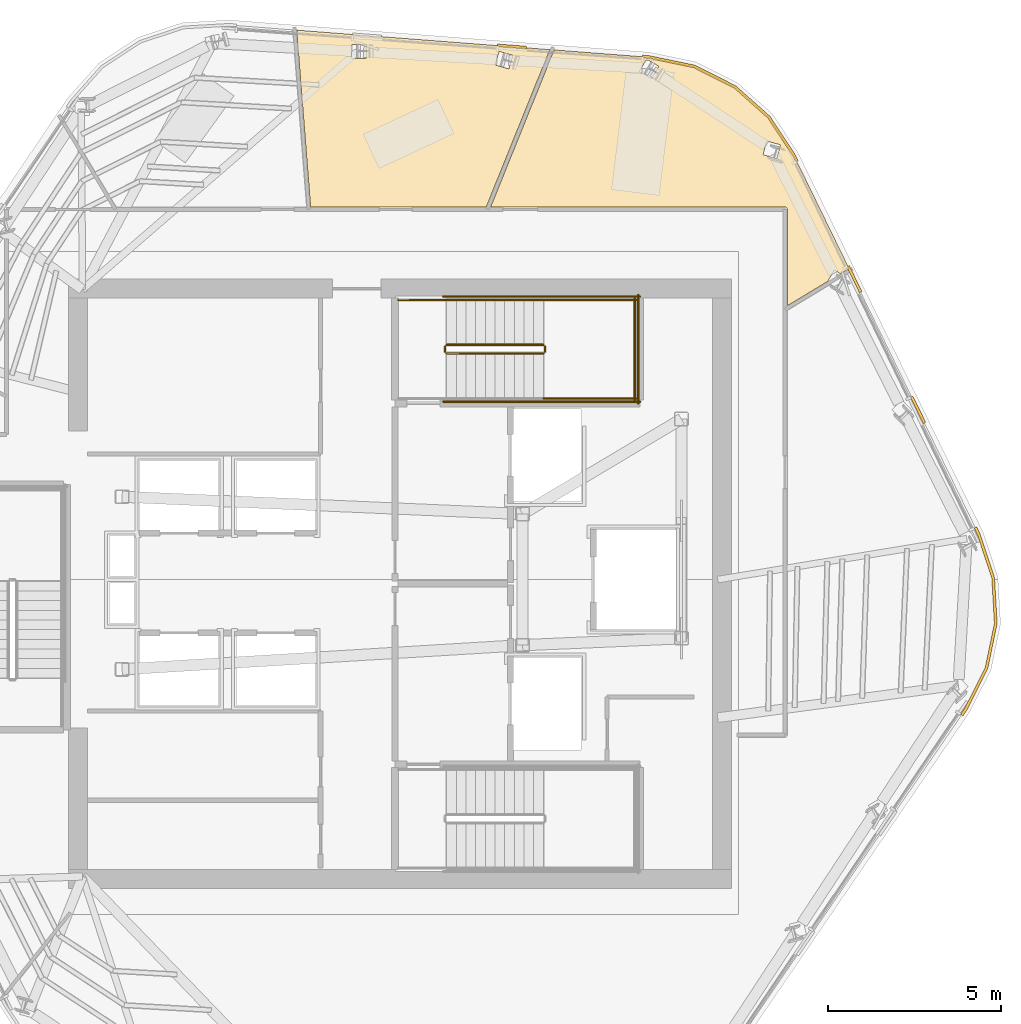
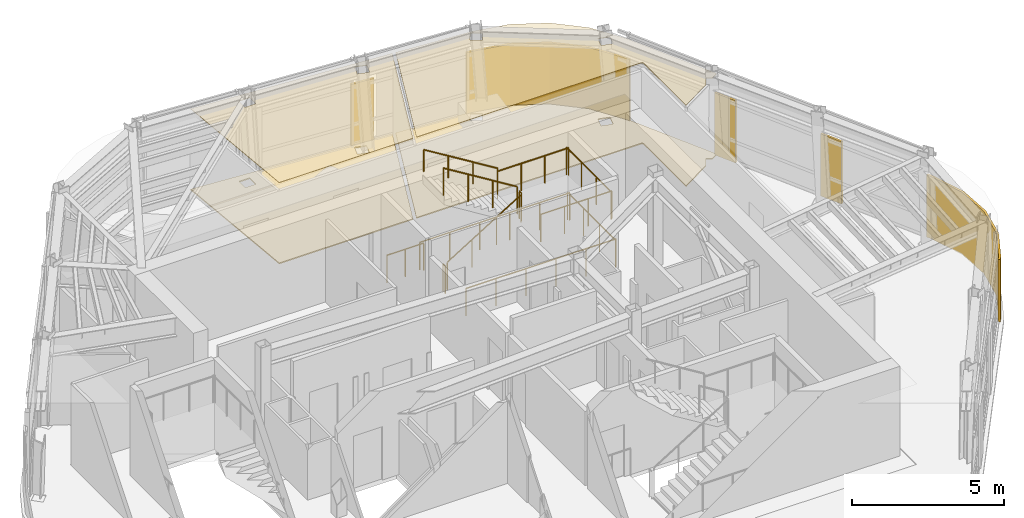
# One storey, part 10 of 11: 12 railings, 9 coverings.
"""IFC4 building model written with IfcOpenShell, lengths in metres."""

import ifcopenshell
import ifcopenshell.guid

model = None  # the IFC model being written
_history = None  # IfcOwnerHistory: only IFC2X3 demands one
_inside = {}  # id of a spatial element -> (the spatial element, [elements in it])
_under = {}  # id of a project, library or spatial element -> (it, [spatial elements below it])
_declared = {}  # id of a project -> (the project, [libraries it declares])
_typed = {}  # id of a type object -> (the type object, [elements of that type])
_made_of = {}  # id of a material, layer set ... -> (it, [elements and type objects made of it])


def new_model(schema):
    """Start an empty IFC model of exactly this schema.

    Asked for "IFC4X3", IfcOpenShell would pick the latest addendum, in which some entities
    have other attributes; the version numbers below select the first issue.
    IFC2X3 requires an IfcOwnerHistory on every rooted entity: one is made here for all.
    """
    global model, _history
    if schema == "IFC4X3":
        model = ifcopenshell.file(schema_version=(4, 3, 0, 0))
    else:
        model = ifcopenshell.file(schema=schema)
    _inside.clear()
    _under.clear()
    _declared.clear()
    _typed.clear()
    _made_of.clear()
    _history = None
    if model.schema == "IFC2X3":
        org = make("IfcOrganization", Name="unknown")
        user = make(
            "IfcPersonAndOrganization",
            ThePerson=make("IfcPerson", FamilyName="unknown"),
            TheOrganization=org,
        )
        app = make(
            "IfcApplication",
            ApplicationDeveloper=org,
            Version="unknown",
            ApplicationFullName="unknown",
            ApplicationIdentifier="unknown",
        )
        _history = make(
            "IfcOwnerHistory",
            OwningUser=user,
            OwningApplication=app,
            ChangeAction="ADDED",
            CreationDate=0,
        )
    return model


def make(cls, **values):
    """One entity of the class cls with the attributes given. An attribute that is None is left unset."""
    return model.create_entity(
        cls, **{name: value for name, value in values.items() if value is not None}
    )


def rooted(cls, **values):
    """An entity with a GlobalId (a new one), such as an element, a storey or a relation."""
    return make(cls, GlobalId=ifcopenshell.guid.new(), OwnerHistory=_history, **values)


def si_unit(unit_type, name, prefix=None):
    """IfcSIUnit, for example si_unit("LENGTHUNIT", "METRE", prefix="MILLI")."""
    return make("IfcSIUnit", UnitType=unit_type, Prefix=prefix, Name=name)


def assignment(units):
    """IfcUnitAssignment: the units of a project."""
    return None if units is None else make("IfcUnitAssignment", Units=units)


def point(xyz):
    """IfcCartesianPoint."""
    return None if xyz is None else make("IfcCartesianPoint", Coordinates=xyz)


def direction(xyz):
    """IfcDirection."""
    return None if xyz is None else make("IfcDirection", DirectionRatios=xyz)


def frame(location, z_axis=None, x_axis=None):
    """IfcAxis2Placement3D, a coordinate frame: its origin and axes. An axis left out is left unset."""
    return make(
        "IfcAxis2Placement3D",
        Location=point(location),
        Axis=direction(z_axis),
        RefDirection=direction(x_axis),
    )


def frame_2d(location, x_axis=None):
    """IfcAxis2Placement2D, a coordinate frame in the plane: its origin and x axis."""
    return make(
        "IfcAxis2Placement2D", Location=point(location), RefDirection=direction(x_axis)
    )


def origin():
    """The frame at (0, 0, 0) with its axes left unset."""
    return frame((0.0, 0.0, 0.0))


def origin_2d():
    """The frame at (0, 0) in the plane with its x axis left unset."""
    return frame_2d((0.0, 0.0))


def place(relative_to, where):
    """IfcLocalPlacement: puts the frame where relative to a parent placement (None: the world)."""
    return make(
        "IfcLocalPlacement", PlacementRelTo=relative_to, RelativePlacement=where
    )


def context(
    kind, dimensions, precision=None, world=None, true_north=None, identifier=None
):
    """IfcGeometricRepresentationContext, for example the 3D "Model" context."""
    return make(
        "IfcGeometricRepresentationContext",
        ContextIdentifier=identifier,
        ContextType=kind,
        CoordinateSpaceDimension=dimensions,
        Precision=precision,
        WorldCoordinateSystem=world,
        TrueNorth=true_north,
    )


def subcontext(parent, identifier, kind, view, scale=None):
    """IfcGeometricRepresentationSubContext, for example "Body" below "Model"."""
    return make(
        "IfcGeometricRepresentationSubContext",
        ContextIdentifier=identifier,
        ContextType=kind,
        ParentContext=parent,
        TargetScale=scale,
        TargetView=view,
    )


def project(units=None, contexts=None):
    """IfcProject with its units and contexts."""
    return rooted(
        "IfcProject",
        Name="project",
        RepresentationContexts=contexts,
        UnitsInContext=assignment(units),
    )


def spatial(cls, under=None, at=None, **own):
    """A site, building, storey or space (cls), placed at a placement, below another one or the project."""
    s = rooted(cls, ObjectPlacement=at, **own)
    if under is not None:
        _under.setdefault(under.id(), (under, []))[1].append(s)
    return s


def polyline(points):
    """IfcPolyline through the points."""
    return make("IfcPolyline", Points=[point(p) for p in points])


def profile(cls, at=None, kind="AREA", **sizes):
    """A parametric profile (cls). Its sizes go by their IFC names, for example OverallWidth=200.0."""
    return make(cls, ProfileType=kind, Position=at, **sizes)


def circle(**sizes):
    """IfcCircleProfileDef."""
    return profile("IfcCircleProfileDef", **sizes)


def outline(outer, holes=None, kind="AREA"):
    """IfcArbitraryClosedProfileDef: a profile drawn as a closed curve; with holes, ...WithVoids."""
    if holes is None:
        return make("IfcArbitraryClosedProfileDef", ProfileType=kind, OuterCurve=outer)
    return make(
        "IfcArbitraryProfileDefWithVoids",
        ProfileType=kind,
        OuterCurve=outer,
        InnerCurves=holes,
    )


def extrude(swept, where, along, depth):
    """IfcExtrudedAreaSolid: the profile swept, set in the frame where, extruded along a direction by depth."""
    return make(
        "IfcExtrudedAreaSolid",
        SweptArea=swept,
        Position=where,
        ExtrudedDirection=direction(along),
        Depth=depth,
    )


def shape(context_of_items, identifier, shape_type, items):
    """IfcShapeRepresentation: the items that make up one representation, for example the "Body"."""
    return make(
        "IfcShapeRepresentation",
        ContextOfItems=context_of_items,
        RepresentationIdentifier=identifier,
        RepresentationType=shape_type,
        Items=items,
    )


def material(Name=None, Category=None):
    """IfcMaterial."""
    return make("IfcMaterial", Name=Name, Category=Category)


def layer(
    of_material, thickness, ventilated=None, Name=None, Category=None, Priority=None
):
    """IfcMaterialLayer: one layer of a wall or slab, of a material (None: an air gap)."""
    return make(
        "IfcMaterialLayer",
        Material=of_material,
        LayerThickness=thickness,
        IsVentilated=ventilated,
        Name=Name,
        Category=Category,
        Priority=Priority,
    )


def layer_set(layers, Name=None):
    """IfcMaterialLayerSet."""
    return make("IfcMaterialLayerSet", MaterialLayers=layers, LayerSetName=Name)


def made_of(thing, what):
    """Note that an element or type object is made of a material, layer set ...; save() writes the relation."""
    if what is not None:
        _made_of.setdefault(what.id(), (what, []))[1].append(thing)
    return thing


def type_object(cls, material=None, **own):
    """A type object (cls), such as IfcWallType, which elements share."""
    return made_of(rooted(cls, **own), material)


def element(
    cls,
    number,
    at=None,
    inside=None,
    cuts=None,
    type_object=None,
    material=None,
    context=None,
    identifier="Body",
    shape_type=None,
    held_by="IfcProductDefinitionShape",
    body=None,
    shapes=None,
    **own,
):
    """One element of the class cls, such as IfcWall. Its Tag is "e" and its number.

    at: its placement. inside: the storey or other place that contains it. cuts: it is an
    opening in that element (IfcRelVoidsElement). A single representation is given by context,
    identifier, shape_type and body (its items); several are given by shapes. held_by: the class
    of the entity that holds the representations. save() writes the other relations.
    """
    e = rooted(cls, Tag="e%d" % number, ObjectPlacement=at, **own)
    if body is not None:
        shapes = [shape(context, identifier, shape_type, body)]
    if shapes is not None:
        e.Representation = make(held_by, Representations=shapes)
    if inside is not None:
        _inside.setdefault(inside.id(), (inside, []))[1].append(e)
    if cuts is not None:
        rooted(
            "IfcRelVoidsElement", RelatingBuildingElement=cuts, RelatedOpeningElement=e
        )
    if type_object is not None:
        _typed.setdefault(type_object.id(), (type_object, []))[1].append(e)
    return made_of(e, material)


def aggregate(whole, parts):
    """IfcRelAggregates: a whole, such as a stair, and the parts it consists of."""
    return rooted("IfcRelAggregates", RelatingObject=whole, RelatedObjects=parts)


def save(model, path):
    """Write the relations noted so far, then the file.

    IfcRelAggregates (storeys below a building ...), IfcRelContainedInSpatialStructure (elements
    in a storey), IfcRelDefinesByType, IfcRelAssociatesMaterial and IfcRelDeclares: one each for
    every whole, place, type object, material and project.
    """
    for whole, parts in _under.values():
        aggregate(whole, parts)
    for where, things in _inside.values():
        rooted(
            "IfcRelContainedInSpatialStructure",
            RelatedElements=things,
            RelatingStructure=where,
        )
    for kind, things in _typed.values():
        rooted("IfcRelDefinesByType", RelatedObjects=things, RelatingType=kind)
    for what, things in _made_of.values():
        rooted("IfcRelAssociatesMaterial", RelatedObjects=things, RelatingMaterial=what)
    for by, libraries in _declared.values():
        rooted("IfcRelDeclares", RelatingContext=by, RelatedDefinitions=libraries)
    model.write(path)


model = new_model("IFC4")

# Units and contexts
model_context = context("Model", 3, precision=1e-05, world=origin(), true_north=direction((0.0, 1.0)))
body_context = subcontext(model_context, "Body", "Model", "MODEL_VIEW")
ifc_project = project(units=[si_unit("LENGTHUNIT", "METRE"), si_unit("AREAUNIT", "SQUARE_METRE"), si_unit("VOLUMEUNIT", "CUBIC_METRE"), si_unit("PLANEANGLEUNIT", "RADIAN"), si_unit("MASSUNIT", "GRAM", prefix="KILO")], contexts=[model_context])

# Site, building, storey
site_placement = place(None, origin())
site = spatial("IfcSite", under=ifc_project, at=site_placement, CompositionType="ELEMENT")
building_placement = place(site_placement, origin())
building = spatial("IfcBuilding", under=site, at=building_placement, Name="Valkerne Bourse Tower", CompositionType="ELEMENT")
storey_placement = place(building_placement, frame((0.0, 0.0, 266.0)))
storey = spatial("IfcBuildingStorey", under=building, at=storey_placement, Name="L67", CompositionType="ELEMENT", Elevation=266.0)

# Coverings
ifc_material_1 = material(Name="Mineral Fiber Acoustic Ceiling Tile", Category="acoustic")
ifc_layer_1 = layer(ifc_material_1, 0.02490234375)
ifc_layer_set_1 = layer_set([ifc_layer_1], Name="Mineral Fiber Acoustic Ceiling Tile")
covering_type_1 = type_object("IfcCoveringType", Name="COV-CEIL-ACT", PredefinedType="CEILING", material=ifc_layer_set_1)
covering_1_placement = place(storey_placement, frame((0.0, 0.0, 3.25)))
element("IfcCovering", 1, at=covering_1_placement, inside=storey, type_object=covering_type_1, Name="L67 Suspended Ceiling 04", PredefinedType="CEILING", context=body_context, shape_type="SweptSolid", body=[
    extrude(outline(polyline([(44.210205078125, 37.7890625), (43.806884765625, 42.91357421875), (51.138427734375, 42.3505859375), (49.29541015625, 37.7890625), (44.210205078125, 37.7890625)]), holes=[polyline([(45.809814453125, 42.09228515625), (45.810302734375, 42.501708984375), (45.404296875, 42.502197265625), (45.402099609375, 42.501953125), (45.401611328125, 42.0927734375), (45.8076171875, 42.09228515625), (45.809814453125, 42.09228515625)]), polyline([(50.0625, 42.186767578125), (49.672119140625, 42.297607421875), (49.669921875, 42.298095703125), (49.55810546875, 41.904296875), (49.94873046875, 41.79345703125), (49.950927734375, 41.79296875), (50.0625, 42.186767578125)])]), origin(), (0.0, 0.0, 1.0), 0.02490234375),
])
covering_2_placement = place(storey_placement, frame((0.0, 0.0, 3.25)))
element("IfcCovering", 2, at=covering_2_placement, inside=storey, type_object=covering_type_1, Name="L67 Suspended Ceiling 06", PredefinedType="CEILING", context=body_context, shape_type="SweptSolid", body=[
    extrude(outline(polyline([(56.49609375, 41.267333984375), (57.4814453125, 40.3896484375), (58.211181640625, 39.278564453125), (59.804443359375, 36.010009765625), (59.5537109375, 35.858642578125), (59.375244140625, 35.961669921875), (59.18701171875, 35.63720703125), (58.01904296875, 34.931884765625), (58.01904296875, 37.720703125), (58.005859375, 37.7607421875), (57.972900390625, 37.785400390625), (49.422607421875, 37.7890625), (51.261962890625, 42.34130859375), (54.015625, 42.1298828125), (55.317138671875, 41.8603515625), (56.49609375, 41.267333984375)]), holes=[polyline([(57.816650390625, 39.59228515625), (57.422607421875, 39.700439453125), (57.314453125, 39.308349609375), (57.31640625, 39.306884765625), (57.710205078125, 39.198974609375), (57.818603515625, 39.5908203125), (57.816650390625, 39.59228515625)]), polyline([(53.945068359375, 42.07275390625), (53.94287109375, 42.07373046875), (53.735107421875, 41.72119140625), (54.084716796875, 41.514892578125), (54.086669921875, 41.513916015625), (54.294677734375, 41.866455078125), (53.945068359375, 42.07275390625)])]), origin(), (0.0, 0.0, 1.0), 0.02490234375),
])
ifc_material_2 = material(Name="Bronze Anodised Aluminium AA 6063-T6", Category="aluminium")
ifc_layer_2 = layer(ifc_material_2, 0.06005859375)
ifc_layer_set_2 = layer_set([ifc_layer_2], Name="Bronze Anodised Aluminium AA 6063-T6")
covering_type_2 = type_object("IfcCoveringType", Name="COV-CRN-ALUM", PredefinedType="CLADDING", material=ifc_layer_set_2)
covering_3_placement = place(storey_placement, origin())
element("IfcCovering", 3, at=covering_3_placement, inside=storey, type_object=covering_type_2, Name="L67 Wind-Shaped Corner Aluminium Cladding 01", PredefinedType="CLADDING", context=body_context, shape_type="SweptSolid", body=[
    extrude(outline(polyline([(64.018310546875, 27.058837890625), (64.0947265625, 25.72998046875), (63.82470703125, 24.426513671875), (63.223876953125, 23.2314453125), (63.101318359375, 23.052490234375), (63.03515625, 23.09765625), (63.15478515625, 23.272216796875), (63.74853515625, 24.452880859375), (64.014404296875, 25.73583984375), (63.93896484375, 27.043701171875), (63.52392578125, 28.298583984375), (63.43115234375, 28.48876953125), (63.503173828125, 28.523681640625), (63.59814453125, 28.328857421875), (64.018310546875, 27.058837890625)])), origin(), (0.0, 0.0, 1.0), 2.5),
])
covering_4_placement = place(storey_placement, origin())
element("IfcCovering", 4, at=covering_4_placement, inside=storey, type_object=covering_type_2, Name="L67 Wind-Shaped Corner Aluminium Cladding 15", PredefinedType="CLADDING", context=body_context, shape_type="SweptSolid", body=[
    extrude(outline(polyline([(50.46728515625, 42.4462890625), (50.461181640625, 42.36669921875), (49.623779296875, 42.430908203125), (49.629638671875, 42.5107421875), (50.46728515625, 42.4462890625)])), origin(), (0.0, 0.0, 1.0), 2.5),
])
covering_5_placement = place(storey_placement, origin())
element("IfcCovering", 5, at=covering_5_placement, inside=storey, type_object=covering_type_2, Name="L67 Wind-Shaped Corner Aluminium Cladding 16", PredefinedType="CLADDING", context=body_context, shape_type="SweptSolid", body=[
    extrude(outline(polyline([(54.021728515625, 42.173583984375), (55.331787109375, 41.902099609375), (56.52099609375, 41.30419921875), (57.514892578125, 40.418701171875), (58.24951171875, 39.30029296875), (58.333984375, 39.126708984375), (58.26220703125, 39.092041015625), (58.1796875, 39.2607421875), (57.453857421875, 40.365966796875), (56.475830078125, 41.2373046875), (55.305419921875, 41.825927734375), (54.010498046875, 42.093994140625), (53.823486328125, 42.1083984375), (53.829345703125, 42.188232421875), (54.021728515625, 42.173583984375)])), origin(), (0.0, 0.0, 1.0), 2.5),
])
covering_6_placement = place(storey_placement, origin())
element("IfcCovering", 6, at=covering_6_placement, inside=storey, type_object=covering_type_2, Name="L67 Wind-Shaped Corner Aluminium Cladding 17", PredefinedType="CLADDING", context=body_context, shape_type="SweptSolid", body=[
    extrude(outline(polyline([(60.179931640625, 35.3408203125), (60.10791015625, 35.305908203125), (59.73974609375, 36.060791015625), (59.811767578125, 36.095703125), (60.179931640625, 35.3408203125)])), origin(), (0.0, 0.0, 1.0), 2.5),
])
covering_7_placement = place(storey_placement, origin())
element("IfcCovering", 7, at=covering_7_placement, inside=storey, type_object=covering_type_2, Name="L67 Wind-Shaped Corner Aluminium Cladding 18", PredefinedType="CLADDING", context=body_context, shape_type="SweptSolid", body=[
    extrude(outline(polyline([(62.025634765625, 31.5546875), (61.95361328125, 31.519775390625), (61.58544921875, 32.27490234375), (61.657470703125, 32.309814453125), (62.025634765625, 31.5546875)])), origin(), (0.0, 0.0, 1.0), 2.5),
])
ifc_material_3 = material(Name="Galvanised Painted Steel", Category="steel")
ifc_layer_3 = layer(ifc_material_3, 0.044921875)
ifc_layer_set_3 = layer_set([ifc_layer_3], Name="Galvanised Painted Steel")
covering_type_3 = type_object("IfcCoveringType", Name="COV-FLR-RAF", PredefinedType="FLOORING", material=ifc_layer_set_3)
covering_8_placement = place(storey_placement, origin())
element("IfcCovering", 8, at=covering_8_placement, inside=storey, type_object=covering_type_3, Name="L67 Floor Finish 04", PredefinedType="FLOORING", context=body_context, shape_type="SweptSolid", body=[
    extrude(outline(polyline([(44.210205078125, 37.7890625), (43.806884765625, 42.91357421875), (51.138427734375, 42.3505859375), (49.29541015625, 37.7890625), (44.210205078125, 37.7890625)]), holes=[polyline([(45.809814453125, 42.09228515625), (45.810302734375, 42.501708984375), (45.404296875, 42.502197265625), (45.402099609375, 42.501953125), (45.401611328125, 42.0927734375), (45.8076171875, 42.09228515625), (45.809814453125, 42.09228515625)]), polyline([(50.0625, 42.186767578125), (49.672119140625, 42.297607421875), (49.669921875, 42.298095703125), (49.55810546875, 41.904296875), (49.94873046875, 41.79345703125), (49.950927734375, 41.79296875), (50.0625, 42.186767578125)])]), origin(), (0.0, 0.0, 1.0), 0.044921875),
])
covering_9_placement = place(storey_placement, origin())
element("IfcCovering", 9, at=covering_9_placement, inside=storey, type_object=covering_type_3, Name="L67 Floor Finish 06", PredefinedType="FLOORING", context=body_context, shape_type="SweptSolid", body=[
    extrude(outline(polyline([(56.49609375, 41.267333984375), (57.4814453125, 40.3896484375), (58.211181640625, 39.278564453125), (59.804443359375, 36.010009765625), (59.5537109375, 35.858642578125), (59.375244140625, 35.961669921875), (59.18701171875, 35.63720703125), (58.01904296875, 34.931884765625), (58.01904296875, 37.720703125), (58.005859375, 37.7607421875), (57.972900390625, 37.785400390625), (49.422607421875, 37.7890625), (51.261962890625, 42.34130859375), (54.015625, 42.1298828125), (55.317138671875, 41.8603515625), (56.49609375, 41.267333984375)]), holes=[polyline([(57.816650390625, 39.59228515625), (57.422607421875, 39.700439453125), (57.314453125, 39.308349609375), (57.31640625, 39.306884765625), (57.710205078125, 39.198974609375), (57.818603515625, 39.5908203125), (57.816650390625, 39.59228515625)]), polyline([(53.945068359375, 42.07275390625), (53.94287109375, 42.07373046875), (53.735107421875, 41.72119140625), (54.084716796875, 41.514892578125), (54.086669921875, 41.513916015625), (54.294677734375, 41.866455078125), (53.945068359375, 42.07275390625)])]), origin(), (0.0, 0.0, 1.0), 0.044921875),
])

# Railings
railing_type_1 = type_object("IfcRailingType", Name="RLG-ST-GUARD-1120", PredefinedType="GUARDRAIL", material=ifc_material_3)
railing_1_placement = place(storey_placement, frame((48.14990234375, 33.550048828125, 0.172607421875)))
element("IfcRailing", 10, at=railing_1_placement, inside=storey, type_object=railing_type_1, Name="L67 ST-2 stair guard 1", PredefinedType="GUARDRAIL", context=body_context, shape_type="SweptSolid", body=[
    extrude(circle(Radius=0.02392578125, at=origin_2d()), frame((0.0, 0.0, 1.09619140625), z_axis=(0.851089632645, 0.0, 0.525020415988), x_axis=(0.0, 1.0, 0.0)), (0.0, 0.0, 1.0), 3.2900390625),
    extrude(circle(Radius=0.02099609375, at=origin_2d()), origin(), (0.0, 0.0, 1.0), 1.072021484375),
    extrude(circle(Radius=0.02099609375, at=origin_2d()), frame((0.933349609375, 0.0, 0.57568359375)), (0.0, 0.0, 1.0), 1.072021484375),
    extrude(circle(Radius=0.02099609375, at=origin_2d()), frame((1.86669921875, 0.0, 1.151611328125)), (0.0, 0.0, 1.0), 1.072021484375),
    extrude(circle(Radius=0.02099609375, at=origin_2d()), frame((2.800048828125, 0.0, 1.727294921875)), (0.0, 0.0, 1.0), 1.072021484375),
])
railing_2_placement = place(storey_placement, frame((51.0, 33.60009765625, 1.89990234375)))
element("IfcRailing", 11, at=railing_2_placement, inside=storey, type_object=railing_type_1, Name="L67 ST-2 stair guard 2", PredefinedType="GUARDRAIL", context=body_context, shape_type="SweptSolid", body=[
    extrude(circle(Radius=0.02392578125, at=origin_2d()), frame((0.0, 0.0, 1.09619140625), z_axis=(0.0, 1.0, 0.0), x_axis=(-1.0, 0.0, 0.0)), (0.0, 0.0, 1.0), 0.14990234375),
    extrude(circle(Radius=0.02099609375, at=origin_2d()), origin(), (0.0, 0.0, 1.0), 1.072021484375),
    extrude(circle(Radius=0.02099609375, at=origin_2d()), frame((0.0, 0.14990234375, 0.0)), (0.0, 0.0, 1.0), 1.072021484375),
])
for number, where, name in (
    (12, (50.949951171875, 32.25, 1.89990234375), "L67 ST-2 stair guard 3"),
    (13, (50.949951171875, 35.10009765625, 1.89990234375), "L67 ST-2 stair guard 4"),
):
    element("IfcRailing", number, at=place(storey_placement, frame(where)), inside=storey, type_object=railing_type_1, Name=name, PredefinedType="GUARDRAIL", context=body_context, shape_type="SweptSolid", body=[
        extrude(circle(Radius=0.02392578125, at=origin_2d()), frame((0.0, 0.0, 1.09619140625), z_axis=(1.0, 0.0, 0.0), x_axis=(0.0, 1.0, 0.0)), (0.0, 0.0, 1.0), 2.699951171875),
        extrude(circle(Radius=0.02099609375, at=origin_2d()), origin(), (0.0, 0.0, 1.0), 1.072021484375),
        extrude(circle(Radius=0.02099609375, at=origin_2d()), frame((0.89990234375, 0.0, 0.0)), (0.0, 0.0, 1.0), 1.072021484375),
        extrude(circle(Radius=0.02099609375, at=origin_2d()), frame((1.800048828125, 0.0, 0.0)), (0.0, 0.0, 1.0), 1.072021484375),
        extrude(circle(Radius=0.02099609375, at=origin_2d()), frame((2.699951171875, 0.0, 0.0)), (0.0, 0.0, 1.0), 1.072021484375),
    ])
railing_3_placement = place(storey_placement, frame((53.60009765625, 32.199951171875, 1.89990234375)))
element("IfcRailing", 14, at=railing_3_placement, inside=storey, type_object=railing_type_1, Name="L67 ST-2 stair guard 5", PredefinedType="GUARDRAIL", context=body_context, shape_type="SweptSolid", body=[
    extrude(circle(Radius=0.02392578125, at=origin_2d()), frame((0.0, 0.0, 1.09619140625), z_axis=(0.0, 1.0, 0.0), x_axis=(-1.0, 0.0, 0.0)), (0.0, 0.0, 1.0), 2.949951171875),
    extrude(circle(Radius=0.02099609375, at=origin_2d()), origin(), (0.0, 0.0, 1.0), 1.072021484375),
    extrude(circle(Radius=0.02099609375, at=origin_2d()), frame((0.0, 0.9833984375, 0.0)), (0.0, 0.0, 1.0), 1.072021484375),
    extrude(circle(Radius=0.02099609375, at=origin_2d()), frame((0.0, 1.966552734375, 0.0)), (0.0, 0.0, 1.0), 1.072021484375),
    extrude(circle(Radius=0.02099609375, at=origin_2d()), frame((0.0, 2.949951171875, 0.0)), (0.0, 0.0, 1.0), 1.072021484375),
])
railing_4_placement = place(storey_placement, frame((50.949951171875, 33.800048828125, 2.07275390625)))
element("IfcRailing", 15, at=railing_4_placement, inside=storey, type_object=railing_type_1, Name="L67 ST-2 stair guard 6", PredefinedType="GUARDRAIL", context=body_context, shape_type="SweptSolid", body=[
    extrude(circle(Radius=0.02392578125, at=origin_2d()), frame((0.0, 0.0, 1.09619140625), z_axis=(-0.851089632645, 0.0, 0.525020415988), x_axis=(0.0, -1.0, 0.0)), (0.0, 0.0, 1.0), 3.2900390625),
    extrude(circle(Radius=0.02099609375, at=origin_2d()), origin(), (0.0, 0.0, 1.0), 1.072021484375),
    extrude(circle(Radius=0.02099609375, at=origin_2d()), frame((-0.933349609375, 0.0, 0.57568359375)), (0.0, 0.0, 1.0), 1.072021484375),
    extrude(circle(Radius=0.02099609375, at=origin_2d()), frame((-1.86669921875, 0.0, 1.151611328125)), (0.0, 0.0, 1.0), 1.072021484375),
    extrude(circle(Radius=0.02099609375, at=origin_2d()), frame((-2.800048828125, 0.0, 1.727294921875)), (0.0, 0.0, 1.0), 1.072021484375),
])
railing_5_placement = place(storey_placement, frame((48.10009765625, 33.60009765625, 0.0)))
element("IfcRailing", 16, at=railing_5_placement, inside=storey, type_object=railing_type_1, Name="L67 ST-2 stair guard 7", PredefinedType="GUARDRAIL", context=body_context, shape_type="SweptSolid", body=[
    extrude(circle(Radius=0.02392578125, at=origin_2d()), frame((0.0, 0.0, 1.09619140625), z_axis=(0.0, 1.0, 0.0), x_axis=(-1.0, 0.0, 0.0)), (0.0, 0.0, 1.0), 0.14990234375),
    extrude(circle(Radius=0.02099609375, at=origin_2d()), origin(), (0.0, 0.0, 1.0), 1.072021484375),
    extrude(circle(Radius=0.02099609375, at=origin_2d()), frame((0.0, 0.14990234375, 0.0)), (0.0, 0.0, 1.0), 1.072021484375),
])
railing_6_placement = place(storey_placement, frame((46.75, 35.10009765625, 0.0)))
element("IfcRailing", 17, at=railing_6_placement, inside=storey, type_object=railing_type_1, Name="L67 ST-2 stair guard 9", PredefinedType="GUARDRAIL", context=body_context, shape_type="SweptSolid", body=[
    extrude(circle(Radius=0.02392578125, at=origin_2d()), frame((0.0, 0.0, 1.09619140625), z_axis=(1.0, 0.0, 0.0), x_axis=(0.0, 1.0, 0.0)), (0.0, 0.0, 1.0), 1.39990234375),
    extrude(circle(Radius=0.02099609375, at=origin_2d()), origin(), (0.0, 0.0, 1.0), 1.072021484375),
    extrude(circle(Radius=0.02099609375, at=origin_2d()), frame((0.699951171875, 0.0, 0.0)), (0.0, 0.0, 1.0), 1.072021484375),
    extrude(circle(Radius=0.02099609375, at=origin_2d()), frame((1.39990234375, 0.0, 0.0)), (0.0, 0.0, 1.0), 1.072021484375),
])
for number, where, name in (
    (18, (48.050048828125, 32.14990234375, 0.0), "L67 ST-2 stair guard 10"),
    (19, (48.050048828125, 35.199951171875, 0.0), "L67 ST-2 stair guard 11"),
):
    element("IfcRailing", number, at=place(storey_placement, frame(where)), inside=storey, type_object=railing_type_1, Name=name, PredefinedType="GUARDRAIL", context=body_context, shape_type="SweptSolid", body=[
        extrude(circle(Radius=0.02392578125, at=origin_2d()), frame((0.0, 0.0, 1.09619140625), z_axis=(1.0, 0.0, 0.0), x_axis=(0.0, 1.0, 0.0)), (0.0, 0.0, 1.0), 5.699951171875),
        extrude(circle(Radius=0.02099609375, at=origin_2d()), origin(), (0.0, 0.0, 1.0), 1.072021484375),
        extrude(circle(Radius=0.02099609375, at=origin_2d()), frame((1.139892578125, 0.0, 0.0)), (0.0, 0.0, 1.0), 1.072021484375),
        extrude(circle(Radius=0.02099609375, at=origin_2d()), frame((2.280029296875, 0.0, 0.0)), (0.0, 0.0, 1.0), 1.072021484375),
        extrude(circle(Radius=0.02099609375, at=origin_2d()), frame((3.419921875, 0.0, 0.0)), (0.0, 0.0, 1.0), 1.072021484375),
        extrude(circle(Radius=0.02099609375, at=origin_2d()), frame((4.56005859375, 0.0, 0.0)), (0.0, 0.0, 1.0), 1.072021484375),
        extrude(circle(Radius=0.02099609375, at=origin_2d()), frame((5.699951171875, 0.0, 0.0)), (0.0, 0.0, 1.0), 1.072021484375),
    ])
railing_7_placement = place(storey_placement, frame((53.699951171875, 32.10009765625, 0.0)))
element("IfcRailing", 20, at=railing_7_placement, inside=storey, type_object=railing_type_1, Name="L67 ST-2 stair guard 12", PredefinedType="GUARDRAIL", context=body_context, shape_type="SweptSolid", body=[
    extrude(circle(Radius=0.02392578125, at=origin_2d()), frame((0.0, 0.0, 1.09619140625), z_axis=(0.0, 1.0, 0.0), x_axis=(-1.0, 0.0, 0.0)), (0.0, 0.0, 1.0), 3.14990234375),
    extrude(circle(Radius=0.02099609375, at=origin_2d()), origin(), (0.0, 0.0, 1.0), 1.072021484375),
    extrude(circle(Radius=0.02099609375, at=origin_2d()), frame((0.0, 1.050048828125, 0.0)), (0.0, 0.0, 1.0), 1.072021484375),
    extrude(circle(Radius=0.02099609375, at=origin_2d()), frame((0.0, 2.099853515625, 0.0)), (0.0, 0.0, 1.0), 1.072021484375),
    extrude(circle(Radius=0.02099609375, at=origin_2d()), frame((0.0, 3.14990234375, 0.0)), (0.0, 0.0, 1.0), 1.072021484375),
])
ifc_material_4 = material(Name="Stainless Steel AISI 316", Category="steel")
railing_type_2 = type_object("IfcRailingType", Name="RLG-ST-HANDRAIL-900", PredefinedType="HANDRAIL", material=ifc_material_4)
railing_8_placement = place(storey_placement, frame((50.949951171875, 35.10009765625, 2.245361328125)))
element("IfcRailing", 21, at=railing_8_placement, inside=storey, type_object=railing_type_2, Name="L67 ST-2 stair handrail 2", PredefinedType="HANDRAIL", context=body_context, shape_type="SweptSolid", body=[
    extrude(circle(Radius=0.02392578125, at=origin_2d()), frame((0.0, 0.0, 0.8759765625), z_axis=(-0.851089632645, 0.0, 0.525020415988), x_axis=(0.0, -1.0, 0.0)), (0.0, 0.0, 1.0), 3.2900390625),
    extrude(circle(Radius=0.02099609375, at=origin_2d()), origin(), (0.0, 0.0, 1.0), 0.851806640625),
    extrude(circle(Radius=0.02099609375, at=origin_2d()), frame((-0.933349609375, 0.0, 0.57568359375)), (0.0, 0.0, 1.0), 0.851806640625),
    extrude(circle(Radius=0.02099609375, at=origin_2d()), frame((-1.86669921875, 0.0, 1.151611328125)), (0.0, 0.0, 1.0), 0.851806640625),
    extrude(circle(Radius=0.02099609375, at=origin_2d()), frame((-2.800048828125, 0.0, 1.727294921875)), (0.0, 0.0, 1.0), 0.851806640625),
])

save(model, "model.ifc")
